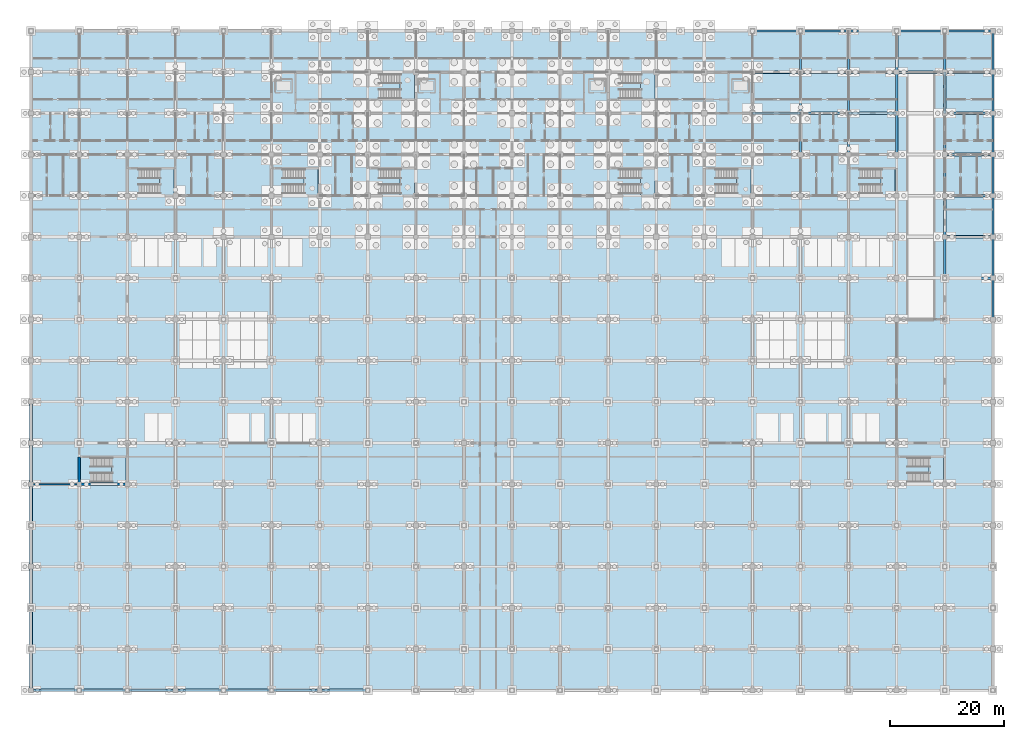
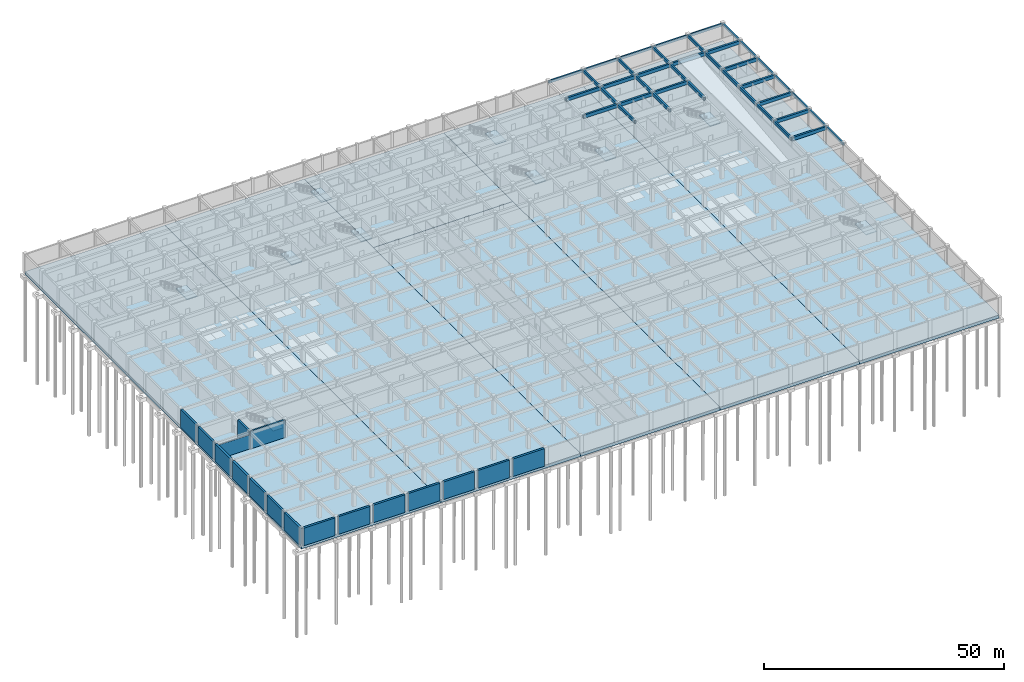
# One storey, part 25 of 85: 40 beams, 17 walls, 16 slabs, 10 elements without a shape of their own.
"""IFC4 building model written with IfcOpenShell, lengths in metres."""

from ifc_helpers import new_model, si_unit, direction, frame, frame_2d, origin, origin_2d, place, context, subcontext, project, spatial, polyline, rectangle, outline, extrude, material, layer, layer_set, material_profile, profile_set, type_object, element, aggregate, save


model = new_model("IFC4")

# Units and contexts
model_context = context("Model", 3, precision=1e-05, world=origin(), true_north=direction((0.0, 1.0)))
body_context = subcontext(model_context, "Body", "Model", "MODEL_VIEW")
ifc_project = project(units=[si_unit("LENGTHUNIT", "METRE"), si_unit("AREAUNIT", "SQUARE_METRE"), si_unit("VOLUMEUNIT", "CUBIC_METRE"), si_unit("PLANEANGLEUNIT", "RADIAN"), si_unit("MASSUNIT", "GRAM", prefix="KILO")], contexts=[model_context])

# Site, building, storey
site_placement = place(None, origin())
site = spatial("IfcSite", under=ifc_project, at=site_placement, CompositionType="ELEMENT")
building_placement = place(site_placement, origin())
building = spatial("IfcBuilding", under=site, at=building_placement, Name="Chengyuan Square Courthouse", CompositionType="ELEMENT")
storey_placement = place(building_placement, frame((0.0, 0.0, -10.199951171875)))
storey = spatial("IfcBuildingStorey", under=building, at=storey_placement, Name="B02", CompositionType="ELEMENT", Elevation=-10.199951171875)

# Beams
ifc_material_1 = material(Name="Concrete C40", Category="concrete")
ifc_material_profile_1 = material_profile(ifc_material_1, rectangle(XDim=0.449951171875, YDim=0.85009765625, at=origin_2d()), Name="RC-BM-450x850")
ifc_profile_set_1 = profile_set([ifc_material_profile_1], Name="Concrete C40")
beam_type_1 = type_object("IfcBeamType", Name="BM-01", PredefinedType="USERDEFINED", material=ifc_profile_set_1)
for number, where, z_axis, x_axis, name in (
    (1, (159.60009765625, 72.0, 4.054931640625), (1.0, 0.0, 0.0), (0.0, 1.0, 0.0), "Girder BM-B02-0219"),
    (2, (159.60009765625, 79.199951171875, 4.054931640625), (1.0, 0.0, 0.0), (0.0, 1.0, 0.0), "Girder BM-B02-0238"),
    (3, (159.60009765625, 86.39990234375, 4.054931640625), (1.0, 0.0, 0.0), (0.0, 1.0, 0.0), "Girder BM-B02-0257"),
    (4, (159.60009765625, 93.60009765625, 4.054931640625), (1.0, 0.0, 0.0), (0.0, 1.0, 0.0), "Girder BM-B02-0276"),
    (5, (126.0, 100.800048828125, 4.054931640625), (1.0, 0.0, 0.0), (0.0, 1.0, 0.0), "Girder BM-B02-0292"),
):
    element("IfcBeam", number, at=place(storey_placement, frame(where, z_axis=z_axis, x_axis=x_axis)), inside=storey, type_object=beam_type_1, Name=name, ObjectType="GIRDER", PredefinedType="USERDEFINED", context=body_context, shape_type="SweptSolid", body=[
        extrude(rectangle(XDim=0.449951171875, YDim=0.85009765625, at=origin_2d()), origin(), (0.0, 0.0, 1.0), 8.39990234375),
    ])
beam_1_placement = place(storey_placement, frame((134.39990234375, 100.800048828125, 4.054931640625), z_axis=(1.0, 0.0, 0.0), x_axis=(0.0, 1.0, 0.0)))
element("IfcBeam", 6, at=beam_1_placement, inside=storey, type_object=beam_type_1, Name="Girder BM-B02-0293", ObjectType="GIRDER", PredefinedType="USERDEFINED", context=body_context, shape_type="SweptSolid", body=[
    extrude(rectangle(XDim=0.449951171875, YDim=0.85009765625, at=origin_2d()), origin(), (0.0, 0.0, 1.0), 8.400146484375),
])
for number, where, z_axis, x_axis, name in (
    (7, (142.800048828125, 100.800048828125, 4.054931640625), (1.0, 0.0, 0.0), (0.0, 1.0, 0.0), "Girder BM-B02-0294"),
    (8, (159.60009765625, 100.800048828125, 4.054931640625), (1.0, 0.0, 0.0), (0.0, 1.0, 0.0), "Girder BM-B02-0295"),
    (9, (126.0, 108.0, 4.054931640625), (1.0, 0.0, 0.0), (0.0, 1.0, 0.0), "Girder BM-B02-0311"),
):
    element("IfcBeam", number, at=place(storey_placement, frame(where, z_axis=z_axis, x_axis=x_axis)), inside=storey, type_object=beam_type_1, Name=name, ObjectType="GIRDER", PredefinedType="USERDEFINED", context=body_context, shape_type="SweptSolid", body=[
        extrude(rectangle(XDim=0.449951171875, YDim=0.85009765625, at=origin_2d()), origin(), (0.0, 0.0, 1.0), 8.39990234375),
    ])
beam_2_placement = place(storey_placement, frame((134.39990234375, 108.0, 4.054931640625), z_axis=(1.0, 0.0, 0.0), x_axis=(0.0, 1.0, 0.0)))
element("IfcBeam", 10, at=beam_2_placement, inside=storey, type_object=beam_type_1, Name="Girder BM-B02-0312", ObjectType="GIRDER", PredefinedType="USERDEFINED", context=body_context, shape_type="SweptSolid", body=[
    extrude(rectangle(XDim=0.449951171875, YDim=0.85009765625, at=origin_2d()), origin(), (0.0, 0.0, 1.0), 8.400146484375),
])
beam_3_placement = place(storey_placement, frame((142.800048828125, 108.0, 4.054931640625), z_axis=(1.0, 0.0, 0.0), x_axis=(0.0, 1.0, 0.0)))
element("IfcBeam", 11, at=beam_3_placement, inside=storey, type_object=beam_type_1, Name="Girder BM-B02-0313", ObjectType="GIRDER", PredefinedType="USERDEFINED", context=body_context, shape_type="SweptSolid", body=[
    extrude(rectangle(XDim=0.449951171875, YDim=0.85009765625, at=origin_2d()), origin(), (0.0, 0.0, 1.0), 8.39990234375),
])
beam_4_placement = place(storey_placement, frame((151.199951171875, 108.0, 4.054931640625), z_axis=(1.0, 0.0, 0.0), x_axis=(0.0, 1.0, 0.0)))
element("IfcBeam", 12, at=beam_4_placement, inside=storey, type_object=beam_type_1, Name="Girder BM-B02-0314", ObjectType="GIRDER", PredefinedType="USERDEFINED", context=body_context, shape_type="SweptSolid", body=[
    extrude(rectangle(XDim=0.449951171875, YDim=0.85009765625, at=origin_2d()), origin(), (0.0, 0.0, 1.0), 8.400146484375),
])
beam_5_placement = place(storey_placement, frame((159.60009765625, 108.0, 4.054931640625), z_axis=(1.0, 0.0, 0.0), x_axis=(0.0, 1.0, 0.0)))
element("IfcBeam", 13, at=beam_5_placement, inside=storey, type_object=beam_type_1, Name="Girder BM-B02-0315", ObjectType="GIRDER", PredefinedType="USERDEFINED", context=body_context, shape_type="SweptSolid", body=[
    extrude(rectangle(XDim=0.449951171875, YDim=0.85009765625, at=origin_2d()), origin(), (0.0, 0.0, 1.0), 8.39990234375),
])
ifc_material_profile_2 = material_profile(ifc_material_1, rectangle(XDim=0.39990234375, YDim=0.75, at=origin_2d()), Name="RC-BM-400x750")
ifc_profile_set_2 = profile_set([ifc_material_profile_2], Name="Concrete C40")
beam_type_2 = type_object("IfcBeamType", Name="BM-02", PredefinedType="USERDEFINED", material=ifc_profile_set_2)
for number, where, z_axis, x_axis, name in (
    (14, (134.39990234375, 93.60009765625, 4.10498046875), (0.0, 1.0, 0.0), (-1.0, 0.0, 0.0), "Girder BM-B02-0605"),
    (15, (134.39990234375, 100.800048828125, 4.10498046875), (0.0, 1.0, 0.0), (-1.0, 0.0, 0.0), "Girder BM-B02-0606"),
    (16, (134.39990234375, 108.0, 4.10498046875), (0.0, 1.0, 0.0), (-1.0, 0.0, 0.0), "Girder BM-B02-0607"),
    (17, (142.800048828125, 93.60009765625, 4.10498046875), (0.0, 1.0, 0.0), (-1.0, 0.0, 0.0), "Girder BM-B02-0621"),
    (18, (142.800048828125, 100.800048828125, 4.10498046875), (0.0, 1.0, 0.0), (-1.0, 0.0, 0.0), "Girder BM-B02-0622"),
    (19, (142.800048828125, 108.0, 4.10498046875), (0.0, 1.0, 0.0), (-1.0, 0.0, 0.0), "Girder BM-B02-0623"),
    (20, (151.199951171875, 93.60009765625, 4.10498046875), (0.0, 1.0, 0.0), (-1.0, 0.0, 0.0), "Girder BM-B02-0637"),
    (21, (151.199951171875, 100.800048828125, 4.10498046875), (0.0, 1.0, 0.0), (-1.0, 0.0, 0.0), "Girder BM-B02-0638"),
    (22, (151.199951171875, 108.0, 4.10498046875), (0.0, 1.0, 0.0), (-1.0, 0.0, 0.0), "Girder BM-B02-0639"),
    (23, (159.60009765625, 72.0, 4.10498046875), (0.0, 1.0, 0.0), (-1.0, 0.0, 0.0), "Girder BM-B02-0650"),
    (24, (159.60009765625, 79.199951171875, 4.10498046875), (0.0, 1.0, 0.0), (-1.0, 0.0, 0.0), "Girder BM-B02-0651"),
):
    element("IfcBeam", number, at=place(storey_placement, frame(where, z_axis=z_axis, x_axis=x_axis)), inside=storey, type_object=beam_type_2, Name=name, ObjectType="GIRDER", PredefinedType="USERDEFINED", context=body_context, shape_type="SweptSolid", body=[
        extrude(rectangle(XDim=0.39990234375, YDim=0.75, at=origin_2d()), origin(), (0.0, 0.0, 1.0), 7.199951171875),
    ])
beam_6_placement = place(storey_placement, frame((159.60009765625, 86.39990234375, 4.10498046875), z_axis=(0.0, 1.0, 0.0), x_axis=(-1.0, 0.0, 0.0)))
element("IfcBeam", 25, at=beam_6_placement, inside=storey, type_object=beam_type_2, Name="Girder BM-B02-0652", ObjectType="GIRDER", PredefinedType="USERDEFINED", context=body_context, shape_type="SweptSolid", body=[
    extrude(rectangle(XDim=0.39990234375, YDim=0.75, at=origin_2d()), origin(), (0.0, 0.0, 1.0), 7.2001953125),
])
for number, where, z_axis, x_axis, name in (
    (26, (159.60009765625, 93.60009765625, 4.10498046875), (0.0, 1.0, 0.0), (-1.0, 0.0, 0.0), "Girder BM-B02-0653"),
    (27, (159.60009765625, 100.800048828125, 4.10498046875), (0.0, 1.0, 0.0), (-1.0, 0.0, 0.0), "Girder BM-B02-0654"),
    (28, (159.60009765625, 108.0, 4.10498046875), (0.0, 1.0, 0.0), (-1.0, 0.0, 0.0), "Girder BM-B02-0655"),
):
    element("IfcBeam", number, at=place(storey_placement, frame(where, z_axis=z_axis, x_axis=x_axis)), inside=storey, type_object=beam_type_2, Name=name, ObjectType="GIRDER", PredefinedType="USERDEFINED", context=body_context, shape_type="SweptSolid", body=[
        extrude(rectangle(XDim=0.39990234375, YDim=0.75, at=origin_2d()), origin(), (0.0, 0.0, 1.0), 7.199951171875),
    ])
ifc_material_profile_3 = material_profile(ifc_material_1, rectangle(XDim=0.35009765625, YDim=0.64990234375, at=origin_2d()), Name="RC-BM-350x650")
ifc_profile_set_3 = profile_set([ifc_material_profile_3], Name="Concrete C40")
beam_type_3 = type_object("IfcBeamType", Name="BM-03", PredefinedType="SPANDREL", material=ifc_profile_set_3)
beam_7_placement = place(storey_placement, frame((126.0, 115.199951171875, 4.155029296875), z_axis=(1.0, 0.0, 0.0), x_axis=(0.0, 1.0, 0.0)))
element("IfcBeam", 29, at=beam_7_placement, inside=storey, type_object=beam_type_3, Name="Girder BM-B02-0331", PredefinedType="SPANDREL", context=body_context, shape_type="SweptSolid", body=[
    extrude(rectangle(XDim=0.35009765625, YDim=0.64990234375, at=origin_2d()), origin(), (0.0, 0.0, 1.0), 8.39990234375),
])
beam_8_placement = place(storey_placement, frame((134.39990234375, 115.199951171875, 4.155029296875), z_axis=(1.0, 0.0, 0.0), x_axis=(0.0, 1.0, 0.0)))
element("IfcBeam", 30, at=beam_8_placement, inside=storey, type_object=beam_type_3, Name="Girder BM-B02-0332", PredefinedType="SPANDREL", context=body_context, shape_type="SweptSolid", body=[
    extrude(rectangle(XDim=0.35009765625, YDim=0.64990234375, at=origin_2d()), origin(), (0.0, 0.0, 1.0), 8.400146484375),
])
beam_9_placement = place(storey_placement, frame((142.800048828125, 115.199951171875, 4.155029296875), z_axis=(1.0, 0.0, 0.0), x_axis=(0.0, 1.0, 0.0)))
element("IfcBeam", 31, at=beam_9_placement, inside=storey, type_object=beam_type_3, Name="Girder BM-B02-0333", PredefinedType="SPANDREL", context=body_context, shape_type="SweptSolid", body=[
    extrude(rectangle(XDim=0.35009765625, YDim=0.64990234375, at=origin_2d()), origin(), (0.0, 0.0, 1.0), 8.39990234375),
])
beam_10_placement = place(storey_placement, frame((151.199951171875, 115.199951171875, 4.155029296875), z_axis=(1.0, 0.0, 0.0), x_axis=(0.0, 1.0, 0.0)))
element("IfcBeam", 32, at=beam_10_placement, inside=storey, type_object=beam_type_3, Name="Girder BM-B02-0334", PredefinedType="SPANDREL", context=body_context, shape_type="SweptSolid", body=[
    extrude(rectangle(XDim=0.35009765625, YDim=0.64990234375, at=origin_2d()), origin(), (0.0, 0.0, 1.0), 8.400146484375),
])
beam_11_placement = place(storey_placement, frame((159.60009765625, 115.199951171875, 4.155029296875), z_axis=(1.0, 0.0, 0.0), x_axis=(0.0, 1.0, 0.0)))
element("IfcBeam", 33, at=beam_11_placement, inside=storey, type_object=beam_type_3, Name="Girder BM-B02-0335", PredefinedType="SPANDREL", context=body_context, shape_type="SweptSolid", body=[
    extrude(rectangle(XDim=0.35009765625, YDim=0.64990234375, at=origin_2d()), origin(), (0.0, 0.0, 1.0), 8.39990234375),
])
for number, where, z_axis, x_axis, name in (
    (34, (168.0, 64.800048828125, 4.155029296875), (0.0, 1.0, 0.0), (-1.0, 0.0, 0.0), "Girder BM-B02-0665"),
    (35, (168.0, 72.0, 4.155029296875), (0.0, 1.0, 0.0), (-1.0, 0.0, 0.0), "Girder BM-B02-0666"),
    (36, (168.0, 79.199951171875, 4.155029296875), (0.0, 1.0, 0.0), (-1.0, 0.0, 0.0), "Girder BM-B02-0667"),
):
    element("IfcBeam", number, at=place(storey_placement, frame(where, z_axis=z_axis, x_axis=x_axis)), inside=storey, type_object=beam_type_3, Name=name, PredefinedType="SPANDREL", context=body_context, shape_type="SweptSolid", body=[
        extrude(rectangle(XDim=0.35009765625, YDim=0.64990234375, at=origin_2d()), origin(), (0.0, 0.0, 1.0), 7.199951171875),
    ])
beam_12_placement = place(storey_placement, frame((168.0, 86.39990234375, 4.155029296875), z_axis=(0.0, 1.0, 0.0), x_axis=(-1.0, 0.0, 0.0)))
element("IfcBeam", 37, at=beam_12_placement, inside=storey, type_object=beam_type_3, Name="Girder BM-B02-0668", PredefinedType="SPANDREL", context=body_context, shape_type="SweptSolid", body=[
    extrude(rectangle(XDim=0.35009765625, YDim=0.64990234375, at=origin_2d()), origin(), (0.0, 0.0, 1.0), 7.2001953125),
])
for number, where, z_axis, x_axis, name in (
    (38, (168.0, 93.60009765625, 4.155029296875), (0.0, 1.0, 0.0), (-1.0, 0.0, 0.0), "Girder BM-B02-0669"),
    (39, (168.0, 100.800048828125, 4.155029296875), (0.0, 1.0, 0.0), (-1.0, 0.0, 0.0), "Girder BM-B02-0670"),
    (40, (168.0, 108.0, 4.155029296875), (0.0, 1.0, 0.0), (-1.0, 0.0, 0.0), "Girder BM-B02-0671"),
):
    element("IfcBeam", number, at=place(storey_placement, frame(where, z_axis=z_axis, x_axis=x_axis)), inside=storey, type_object=beam_type_3, Name=name, PredefinedType="SPANDREL", context=body_context, shape_type="SweptSolid", body=[
        extrude(rectangle(XDim=0.35009765625, YDim=0.64990234375, at=origin_2d()), origin(), (0.0, 0.0, 1.0), 7.199951171875),
    ])

# Slabs
ifc_layer_1 = layer(ifc_material_1, 0.800048828125)
ifc_layer_set_1 = layer_set([ifc_layer_1], Name="Concrete C40")
slab_type_1 = type_object("IfcSlabType", Name="SL-B02", PredefinedType="BASESLAB", material=ifc_layer_set_1)
slab_1_placement = place(storey_placement, frame((0.0, 0.0, -0.800048828125)))
element("IfcSlab", 41, at=slab_1_placement, inside=storey, type_object=slab_type_1, Name="Foundation Base Slab SL-B02-01", PredefinedType="BASESLAB", context=body_context, shape_type="SweptSolid", body=[
    extrude(outline(polyline([(0.0, 0.0), (33.60009765625, 0.0), (33.60009765625, 115.199951171875), (0.0, 115.199951171875), (0.0, 0.0)])), origin(), (0.0, 0.0, 1.0), 0.800048828125),
])
slab_2_placement = place(storey_placement, frame((0.0, 0.0, -0.800048828125)))
element("IfcSlab", 42, at=slab_2_placement, inside=storey, type_object=slab_type_1, Name="Foundation Base Slab SL-B02-02", PredefinedType="BASESLAB", context=body_context, shape_type="SweptSolid", body=[
    extrude(outline(polyline([(33.60009765625, 0.0), (67.199951171875, 0.0), (67.199951171875, 115.199951171875), (33.60009765625, 115.199951171875), (33.60009765625, 0.0)])), origin(), (0.0, 0.0, 1.0), 0.800048828125),
])
slab_3_placement = place(storey_placement, frame((0.0, 0.0, -0.800048828125)))
element("IfcSlab", 43, at=slab_3_placement, inside=storey, type_object=slab_type_1, Name="Foundation Base Slab SL-B02-03", PredefinedType="BASESLAB", context=body_context, shape_type="SweptSolid", body=[
    extrude(outline(polyline([(67.199951171875, 0.0), (100.800048828125, 0.0), (100.800048828125, 86.39990234375), (67.199951171875, 86.39990234375), (67.199951171875, 0.0)])), origin(), (0.0, 0.0, 1.0), 0.800048828125),
])
slab_4_placement = place(storey_placement, frame((0.0, 0.0, -0.800048828125)))
element("IfcSlab", 44, at=slab_4_placement, inside=storey, type_object=slab_type_1, Name="Foundation Base Slab SL-B02-05", PredefinedType="BASESLAB", context=body_context, shape_type="SweptSolid", body=[
    extrude(outline(polyline([(100.800048828125, 0.0), (134.39990234375, 0.0), (134.39990234375, 115.199951171875), (100.800048828125, 115.199951171875), (100.800048828125, 0.0)])), origin(), (0.0, 0.0, 1.0), 0.800048828125),
])
slab_5_placement = place(storey_placement, frame((0.0, 0.0, -0.800048828125)))
element("IfcSlab", 45, at=slab_5_placement, inside=storey, type_object=slab_type_1, Name="Foundation Base Slab SL-B02-06", PredefinedType="BASESLAB", context=body_context, shape_type="SweptSolid", body=[
    extrude(outline(polyline([(134.39990234375, 0.0), (168.0, 0.0), (168.0, 115.199951171875), (134.39990234375, 115.199951171875), (134.39990234375, 0.0)])), origin(), (0.0, 0.0, 1.0), 0.800048828125),
])

# Stair, slab
stair_type_1 = type_object("IfcStairType", Name="ST-TYPE-01", PredefinedType="HALF_TURN_STAIR", material=ifc_material_1)
stair_1_placement = place(storey_placement, origin())
stair_1 = element("IfcStair", 46, at=stair_1_placement, inside=storey, type_object=stair_type_1, Name="Smoke-Proof Exit Stair ST-1 (B02 to B01)", PredefinedType="HALF_TURN_STAIR")
ifc_layer_2 = layer(ifc_material_1, 0.18994140625)
ifc_layer_set_2 = layer_set([ifc_layer_2], Name="Concrete C40")
slab_type_2 = type_object("IfcSlabType", Name="SL-LND1", PredefinedType="LANDING", material=ifc_layer_set_2)
slab_6_placement = place(storey_placement, frame((0.0, 0.0, 2.2099609375)))
slab_6 = element("IfcSlab", 47, at=slab_6_placement, type_object=slab_type_2, Name="ST-1 landing 1", PredefinedType="LANDING", context=body_context, shape_type="SweptSolid", body=[
    extrude(outline(polyline([(64.449951171875, 103.159912109375), (66.93994140625, 103.159912109375), (66.93994140625, 107.840087890625), (64.449951171875, 107.840087890625), (64.449951171875, 103.159912109375)])), origin(), (0.0, 0.0, 1.0), 0.18994140625),
])
aggregate(stair_1, [slab_6])

stair_type_2 = type_object("IfcStairType", Name="ST-TYPE-02", PredefinedType="HALF_TURN_STAIR", material=ifc_material_1)
stair_2_placement = place(storey_placement, origin())
stair_2 = element("IfcStair", 48, at=stair_2_placement, inside=storey, type_object=stair_type_2, Name="Smoke-Proof Exit Stair ST-2 (B02 to B01)", PredefinedType="HALF_TURN_STAIR")
slab_7_placement = place(storey_placement, frame((0.0, 0.0, 2.2099609375)))
slab_7 = element("IfcSlab", 49, at=slab_7_placement, type_object=slab_type_2, Name="ST-2 landing 1", PredefinedType="LANDING", context=body_context, shape_type="SweptSolid", body=[
    extrude(outline(polyline([(106.449951171875, 103.159912109375), (108.93994140625, 103.159912109375), (108.93994140625, 107.840087890625), (106.449951171875, 107.840087890625), (106.449951171875, 103.159912109375)])), origin(), (0.0, 0.0, 1.0), 0.18994140625),
])
aggregate(stair_2, [slab_7])

stair_type_3 = type_object("IfcStairType", Name="ST-TYPE-03", PredefinedType="HALF_TURN_STAIR", material=ifc_material_1)
stair_3_placement = place(storey_placement, origin())
stair_3 = element("IfcStair", 50, at=stair_3_placement, inside=storey, type_object=stair_type_3, Name="Smoke-Proof Exit Stair ST-3 (B02 to B01)", PredefinedType="HALF_TURN_STAIR")
slab_8_placement = place(storey_placement, frame((0.0, 0.0, 2.2099609375)))
slab_8 = element("IfcSlab", 51, at=slab_8_placement, type_object=slab_type_2, Name="ST-3 landing 1", PredefinedType="LANDING", context=body_context, shape_type="SweptSolid", body=[
    extrude(outline(polyline([(64.449951171875, 86.56005859375), (66.93994140625, 86.56005859375), (66.93994140625, 91.239990234375), (64.449951171875, 91.239990234375), (64.449951171875, 86.56005859375)])), origin(), (0.0, 0.0, 1.0), 0.18994140625),
])
aggregate(stair_3, [slab_8])

stair_type_4 = type_object("IfcStairType", Name="ST-TYPE-04", PredefinedType="HALF_TURN_STAIR", material=ifc_material_1)
stair_4_placement = place(storey_placement, origin())
stair_4 = element("IfcStair", 52, at=stair_4_placement, inside=storey, type_object=stair_type_4, Name="Smoke-Proof Exit Stair ST-4 (B02 to B01)", PredefinedType="HALF_TURN_STAIR")
slab_9_placement = place(storey_placement, frame((0.0, 0.0, 2.2099609375)))
slab_9 = element("IfcSlab", 53, at=slab_9_placement, type_object=slab_type_2, Name="ST-4 landing 1", PredefinedType="LANDING", context=body_context, shape_type="SweptSolid", body=[
    extrude(outline(polyline([(106.449951171875, 86.56005859375), (108.93994140625, 86.56005859375), (108.93994140625, 91.239990234375), (106.449951171875, 91.239990234375), (106.449951171875, 86.56005859375)])), origin(), (0.0, 0.0, 1.0), 0.18994140625),
])
aggregate(stair_4, [slab_9])

stair_type_5 = type_object("IfcStairType", Name="ST-TYPE-05", PredefinedType="HALF_TURN_STAIR", material=ifc_material_1)
stair_5_placement = place(storey_placement, origin())
stair_5 = element("IfcStair", 54, at=stair_5_placement, inside=storey, type_object=stair_type_5, Name="Smoke-Proof Exit Stair ST-5 (B02 to B01)", PredefinedType="HALF_TURN_STAIR")
slab_10_placement = place(storey_placement, frame((0.0, 0.0, 2.2099609375)))
slab_10 = element("IfcSlab", 55, at=slab_10_placement, type_object=slab_type_2, Name="ST-5 landing 1", PredefinedType="LANDING", context=body_context, shape_type="SweptSolid", body=[
    extrude(outline(polyline([(47.64990234375, 86.56005859375), (50.139892578125, 86.56005859375), (50.139892578125, 91.239990234375), (47.64990234375, 91.239990234375), (47.64990234375, 86.56005859375)])), origin(), (0.0, 0.0, 1.0), 0.18994140625),
])
aggregate(stair_5, [slab_10])

stair_type_6 = type_object("IfcStairType", Name="ST-TYPE-06", PredefinedType="HALF_TURN_STAIR", material=ifc_material_1)
stair_6_placement = place(storey_placement, origin())
stair_6 = element("IfcStair", 56, at=stair_6_placement, inside=storey, type_object=stair_type_6, Name="Smoke-Proof Exit Stair ST-6 (B02 to B01)", PredefinedType="HALF_TURN_STAIR")
slab_11_placement = place(storey_placement, frame((0.0, 0.0, 2.2099609375)))
slab_11 = element("IfcSlab", 57, at=slab_11_placement, type_object=slab_type_2, Name="ST-6 landing 1", PredefinedType="LANDING", context=body_context, shape_type="SweptSolid", body=[
    extrude(outline(polyline([(123.25, 86.56005859375), (125.739990234375, 86.56005859375), (125.739990234375, 91.239990234375), (123.25, 91.239990234375), (123.25, 86.56005859375)])), origin(), (0.0, 0.0, 1.0), 0.18994140625),
])
aggregate(stair_6, [slab_11])

stair_type_7 = type_object("IfcStairType", Name="ST-TYPE-07", PredefinedType="HALF_TURN_STAIR", material=ifc_material_1)
stair_7_placement = place(storey_placement, origin())
stair_7 = element("IfcStair", 58, at=stair_7_placement, inside=storey, type_object=stair_type_7, Name="Smoke-Proof Exit Stair ST-7 (B02 to B01)", PredefinedType="HALF_TURN_STAIR")
slab_12_placement = place(storey_placement, frame((0.0, 0.0, 2.2099609375)))
slab_12 = element("IfcSlab", 59, at=slab_12_placement, type_object=slab_type_2, Name="ST-7 landing 1", PredefinedType="LANDING", context=body_context, shape_type="SweptSolid", body=[
    extrude(outline(polyline([(14.050048828125, 36.159912109375), (16.5400390625, 36.159912109375), (16.5400390625, 40.840087890625), (14.050048828125, 40.840087890625), (14.050048828125, 36.159912109375)])), origin(), (0.0, 0.0, 1.0), 0.18994140625),
])
aggregate(stair_7, [slab_12])

stair_type_8 = type_object("IfcStairType", Name="ST-TYPE-08", PredefinedType="HALF_TURN_STAIR", material=ifc_material_1)
stair_8_placement = place(storey_placement, origin())
stair_8 = element("IfcStair", 60, at=stair_8_placement, inside=storey, type_object=stair_type_8, Name="Smoke-Proof Exit Stair ST-8 (B02 to B01)", PredefinedType="HALF_TURN_STAIR")
slab_13_placement = place(storey_placement, frame((0.0, 0.0, 2.2099609375)))
slab_13 = element("IfcSlab", 61, at=slab_13_placement, type_object=slab_type_2, Name="ST-8 landing 1", PredefinedType="LANDING", context=body_context, shape_type="SweptSolid", body=[
    extrude(outline(polyline([(156.85009765625, 36.159912109375), (159.340087890625, 36.159912109375), (159.340087890625, 40.840087890625), (156.85009765625, 40.840087890625), (156.85009765625, 36.159912109375)])), origin(), (0.0, 0.0, 1.0), 0.18994140625),
])
aggregate(stair_8, [slab_13])

stair_type_9 = type_object("IfcStairType", Name="ST-TYPE-09", PredefinedType="HALF_TURN_STAIR", material=ifc_material_1)
stair_9_placement = place(storey_placement, origin())
stair_9 = element("IfcStair", 62, at=stair_9_placement, inside=storey, type_object=stair_type_9, Name="Smoke-Proof Exit Stair ST-9 (B02 to B01)", PredefinedType="HALF_TURN_STAIR")
slab_14_placement = place(storey_placement, frame((0.0, 0.0, 2.2099609375)))
slab_14 = element("IfcSlab", 63, at=slab_14_placement, type_object=slab_type_2, Name="ST-9 landing 1", PredefinedType="LANDING", context=body_context, shape_type="SweptSolid", body=[
    extrude(outline(polyline([(22.449951171875, 86.56005859375), (24.93994140625, 86.56005859375), (24.93994140625, 91.239990234375), (22.449951171875, 91.239990234375), (22.449951171875, 86.56005859375)])), origin(), (0.0, 0.0, 1.0), 0.18994140625),
])
aggregate(stair_9, [slab_14])

stair_type_10 = type_object("IfcStairType", Name="ST-TYPE-10", PredefinedType="HALF_TURN_STAIR", material=ifc_material_1)
stair_10_placement = place(storey_placement, origin())
stair_10 = element("IfcStair", 64, at=stair_10_placement, inside=storey, type_object=stair_type_10, Name="Smoke-Proof Exit Stair ST-10 (B02 to B01)", PredefinedType="HALF_TURN_STAIR")
slab_15_placement = place(storey_placement, frame((0.0, 0.0, 2.2099609375)))
slab_15 = element("IfcSlab", 65, at=slab_15_placement, type_object=slab_type_2, Name="ST-10 landing 1", PredefinedType="LANDING", context=body_context, shape_type="SweptSolid", body=[
    extrude(outline(polyline([(148.449951171875, 86.56005859375), (150.93994140625, 86.56005859375), (150.93994140625, 91.239990234375), (148.449951171875, 91.239990234375), (148.449951171875, 86.56005859375)])), origin(), (0.0, 0.0, 1.0), 0.18994140625),
])
aggregate(stair_10, [slab_15])

# Slab
ifc_layer_3 = layer(ifc_material_1, 0.949951171875)
ifc_layer_set_3 = layer_set([ifc_layer_3], Name="Concrete C40")
slab_type_3 = type_object("IfcSlabType", Name="SL-PIT", PredefinedType="BASESLAB", material=ifc_layer_set_3)
slab_16_placement = place(storey_placement, frame((0.0, 0.0, -0.949951171875)))
element("IfcSlab", 66, at=slab_16_placement, inside=storey, type_object=slab_type_3, Name="Foundation Base Slab SL-B02-04", PredefinedType="BASESLAB", context=body_context, shape_type="SweptSolid", body=[
    extrude(outline(polyline([(67.199951171875, 86.39990234375), (100.800048828125, 86.39990234375), (100.800048828125, 115.199951171875), (67.199951171875, 115.199951171875), (67.199951171875, 86.39990234375)])), origin(), (0.0, 0.0, 1.0), 0.949951171875),
])

# Walls
ifc_layer_4 = layer(ifc_material_1, 0.25)
ifc_layer_set_4 = layer_set([ifc_layer_4], Name="Concrete C40")
wall_type_1 = type_object("IfcWallType", Name="WL-FW1", PredefinedType="STANDARD", material=ifc_layer_set_4)
wall_1_placement = place(storey_placement, frame((0.0400390625, 36.0, 0.0), z_axis=(0.0, 0.0, 1.0), x_axis=(1.0, 0.0, 0.0)))
element("IfcWall", 67, at=wall_1_placement, inside=storey, type_object=wall_type_1, Name="Interior Wall WL-B02-I001", PredefinedType="STANDARD", context=body_context, shape_type="SweptSolid", body=[
    extrude(rectangle(XDim=8.35986328125, YDim=0.25, at=frame_2d((4.179931640625, 0.0))), origin(), (0.0, 0.0, 1.0), 3.6298828125),
])
ifc_layer_5 = layer(ifc_material_1, 0.5)
ifc_layer_set_5 = layer_set([ifc_layer_5], Name="Concrete C40")
wall_type_2 = type_object("IfcWallType", Name="WL-RW1", PredefinedType="USERDEFINED", material=ifc_layer_set_5)
wall_2_placement = place(storey_placement, frame((0.419921875, 0.0, 0.0), z_axis=(0.0, 0.0, 1.0), x_axis=(1.0, 0.0, 0.0)))
element("IfcWall", 68, at=wall_2_placement, inside=storey, type_object=wall_type_2, Name="Basement Retaining Wall WL-B02-E001", ObjectType="RETAININGWALL", PredefinedType="USERDEFINED", context=body_context, shape_type="SweptSolid", body=[
    extrude(rectangle(XDim=7.56005859375, YDim=0.5, at=frame_2d((3.780029296875, 0.0))), origin(), (0.0, 0.0, 1.0), 4.47998046875),
])
wall_3_placement = place(storey_placement, frame((0.0, 0.419921875, 0.0), z_axis=(0.0, 0.0, 1.0), x_axis=(0.0, 1.0, 0.0)))
element("IfcWall", 69, at=wall_3_placement, inside=storey, type_object=wall_type_2, Name="Basement Retaining Wall WL-B02-E002", ObjectType="RETAININGWALL", PredefinedType="USERDEFINED", context=body_context, shape_type="SweptSolid", body=[
    extrude(rectangle(XDim=6.360107421875, YDim=0.5, at=frame_2d((3.18017578125, 0.0))), origin(), (0.0, 0.0, 1.0), 4.47998046875),
])
for number, where, z_axis, x_axis, name in (
    (70, (0.0, 7.6201171875, 0.0), (0.0, 0.0, 1.0), (0.0, 1.0, 0.0), "Basement Retaining Wall WL-B02-E003"),
    (71, (0.0, 14.820068359375, 0.0), (0.0, 0.0, 1.0), (0.0, 1.0, 0.0), "Basement Retaining Wall WL-B02-E004"),
    (72, (0.0, 22.02001953125, 0.0), (0.0, 0.0, 1.0), (0.0, 1.0, 0.0), "Basement Retaining Wall WL-B02-E005"),
):
    element("IfcWall", number, at=place(storey_placement, frame(where, z_axis=z_axis, x_axis=x_axis)), inside=storey, type_object=wall_type_2, Name=name, ObjectType="RETAININGWALL", PredefinedType="USERDEFINED", context=body_context, shape_type="SweptSolid", body=[
        extrude(rectangle(XDim=6.35986328125, YDim=0.5, at=frame_2d((3.179931640625, 0.0))), origin(), (0.0, 0.0, 1.0), 4.47998046875),
    ])
for number, where, z_axis, x_axis, name in (
    (73, (0.0, 29.219970703125, 0.0), (0.0, 0.0, 1.0), (0.0, 1.0, 0.0), "Basement Retaining Wall WL-B02-E006"),
    (74, (0.0, 36.419921875, 0.0), (0.0, 0.0, 1.0), (0.0, 1.0, 0.0), "Basement Retaining Wall WL-B02-E007"),
):
    element("IfcWall", number, at=place(storey_placement, frame(where, z_axis=z_axis, x_axis=x_axis)), inside=storey, type_object=wall_type_2, Name=name, ObjectType="RETAININGWALL", PredefinedType="USERDEFINED", context=body_context, shape_type="SweptSolid", body=[
        extrude(rectangle(XDim=6.360107421875, YDim=0.5, at=frame_2d((3.18017578125, 0.0))), origin(), (0.0, 0.0, 1.0), 4.47998046875),
    ])
wall_4_placement = place(storey_placement, frame((0.0, 43.6201171875, 0.0), z_axis=(0.0, 0.0, 1.0), x_axis=(0.0, 1.0, 0.0)))
element("IfcWall", 75, at=wall_4_placement, inside=storey, type_object=wall_type_2, Name="Basement Retaining Wall WL-B02-E008", ObjectType="RETAININGWALL", PredefinedType="USERDEFINED", context=body_context, shape_type="SweptSolid", body=[
    extrude(rectangle(XDim=6.35986328125, YDim=0.5, at=frame_2d((3.179931640625, 0.0))), origin(), (0.0, 0.0, 1.0), 4.47998046875),
])
wall_5_placement = place(storey_placement, frame((8.820068359375, 0.0, 0.0), z_axis=(0.0, 0.0, 1.0), x_axis=(1.0, 0.0, 0.0)))
element("IfcWall", 76, at=wall_5_placement, inside=storey, type_object=wall_type_2, Name="Basement Retaining Wall WL-B02-E019", ObjectType="RETAININGWALL", PredefinedType="USERDEFINED", context=body_context, shape_type="SweptSolid", body=[
    extrude(rectangle(XDim=7.559814453125, YDim=0.5, at=frame_2d((3.77978515625, 0.0))), origin(), (0.0, 0.0, 1.0), 4.47998046875),
])
wall_6_placement = place(storey_placement, frame((17.219970703125, 0.0, 0.0), z_axis=(0.0, 0.0, 1.0), x_axis=(1.0, 0.0, 0.0)))
element("IfcWall", 77, at=wall_6_placement, inside=storey, type_object=wall_type_2, Name="Basement Retaining Wall WL-B02-E021", ObjectType="RETAININGWALL", PredefinedType="USERDEFINED", context=body_context, shape_type="SweptSolid", body=[
    extrude(rectangle(XDim=7.56005859375, YDim=0.5, at=frame_2d((3.780029296875, 0.0))), origin(), (0.0, 0.0, 1.0), 4.47998046875),
])
wall_7_placement = place(storey_placement, frame((25.6201171875, 0.0, 0.0), z_axis=(0.0, 0.0, 1.0), x_axis=(1.0, 0.0, 0.0)))
element("IfcWall", 78, at=wall_7_placement, inside=storey, type_object=wall_type_2, Name="Basement Retaining Wall WL-B02-E023", ObjectType="RETAININGWALL", PredefinedType="USERDEFINED", context=body_context, shape_type="SweptSolid", body=[
    extrude(rectangle(XDim=7.559814453125, YDim=0.5, at=frame_2d((3.77978515625, 0.0))), origin(), (0.0, 0.0, 1.0), 4.47998046875),
])
for number, where, z_axis, x_axis, name in (
    (79, (34.02001953125, 0.0, 0.0), (0.0, 0.0, 1.0), (1.0, 0.0, 0.0), "Basement Retaining Wall WL-B02-E025"),
    (80, (42.419921875, 0.0, 0.0), (0.0, 0.0, 1.0), (1.0, 0.0, 0.0), "Basement Retaining Wall WL-B02-E027"),
):
    element("IfcWall", number, at=place(storey_placement, frame(where, z_axis=z_axis, x_axis=x_axis)), inside=storey, type_object=wall_type_2, Name=name, ObjectType="RETAININGWALL", PredefinedType="USERDEFINED", context=body_context, shape_type="SweptSolid", body=[
        extrude(rectangle(XDim=7.56005859375, YDim=0.5, at=frame_2d((3.780029296875, 0.0))), origin(), (0.0, 0.0, 1.0), 4.47998046875),
    ])
wall_8_placement = place(storey_placement, frame((50.820068359375, 0.0, 0.0), z_axis=(0.0, 0.0, 1.0), x_axis=(1.0, 0.0, 0.0)))
element("IfcWall", 81, at=wall_8_placement, inside=storey, type_object=wall_type_2, Name="Basement Retaining Wall WL-B02-E029", ObjectType="RETAININGWALL", PredefinedType="USERDEFINED", context=body_context, shape_type="SweptSolid", body=[
    extrude(rectangle(XDim=7.559814453125, YDim=0.5, at=frame_2d((3.77978515625, 0.0))), origin(), (0.0, 0.0, 1.0), 4.47998046875),
])
ifc_material_2 = material(Name="Concrete C50", Category="concrete")
ifc_layer_6 = layer(ifc_material_2, 0.39990234375)
ifc_layer_set_6 = layer_set([ifc_layer_6], Name="Concrete C50")
wall_type_3 = type_object("IfcWallType", Name="WL-SW1", PredefinedType="SHEAR", material=ifc_layer_set_6)
wall_9_placement = place(storey_placement, frame((8.39990234375, 36.0, 0.0), z_axis=(0.0, 0.0, 1.0), x_axis=(1.0, 0.0, 0.0)))
element("IfcWall", 82, at=wall_9_placement, inside=storey, type_object=wall_type_3, Name="Interior Wall WL-B02-I002", PredefinedType="SHEAR", context=body_context, shape_type="SweptSolid", body=[
    extrude(rectangle(XDim=8.400146484375, YDim=0.39990234375, at=frame_2d((4.2001953125, 0.0))), origin(), (0.0, 0.0, 1.0), 4.47998046875),
])
wall_10_placement = place(storey_placement, frame((8.39990234375, 36.0, 0.0), z_axis=(0.0, 0.0, 1.0), x_axis=(0.0, 1.0, 0.0)))
element("IfcWall", 83, at=wall_10_placement, inside=storey, type_object=wall_type_3, Name="Interior Wall WL-B02-I116", PredefinedType="SHEAR", context=body_context, shape_type="SweptSolid", body=[
    extrude(rectangle(XDim=4.800048828125, YDim=0.39990234375, at=frame_2d((2.39990234375, 0.0))), origin(), (0.0, 0.0, 1.0), 4.47998046875),
])

save(model, "model.ifc")
